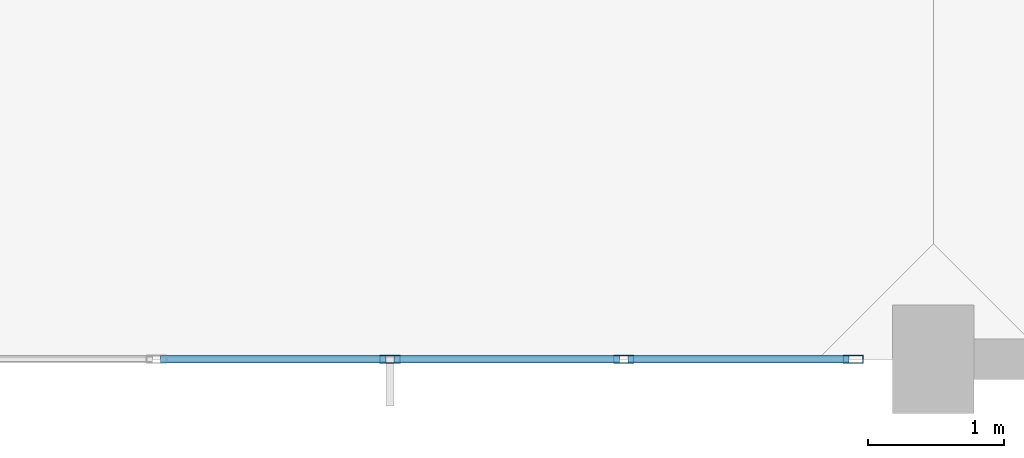
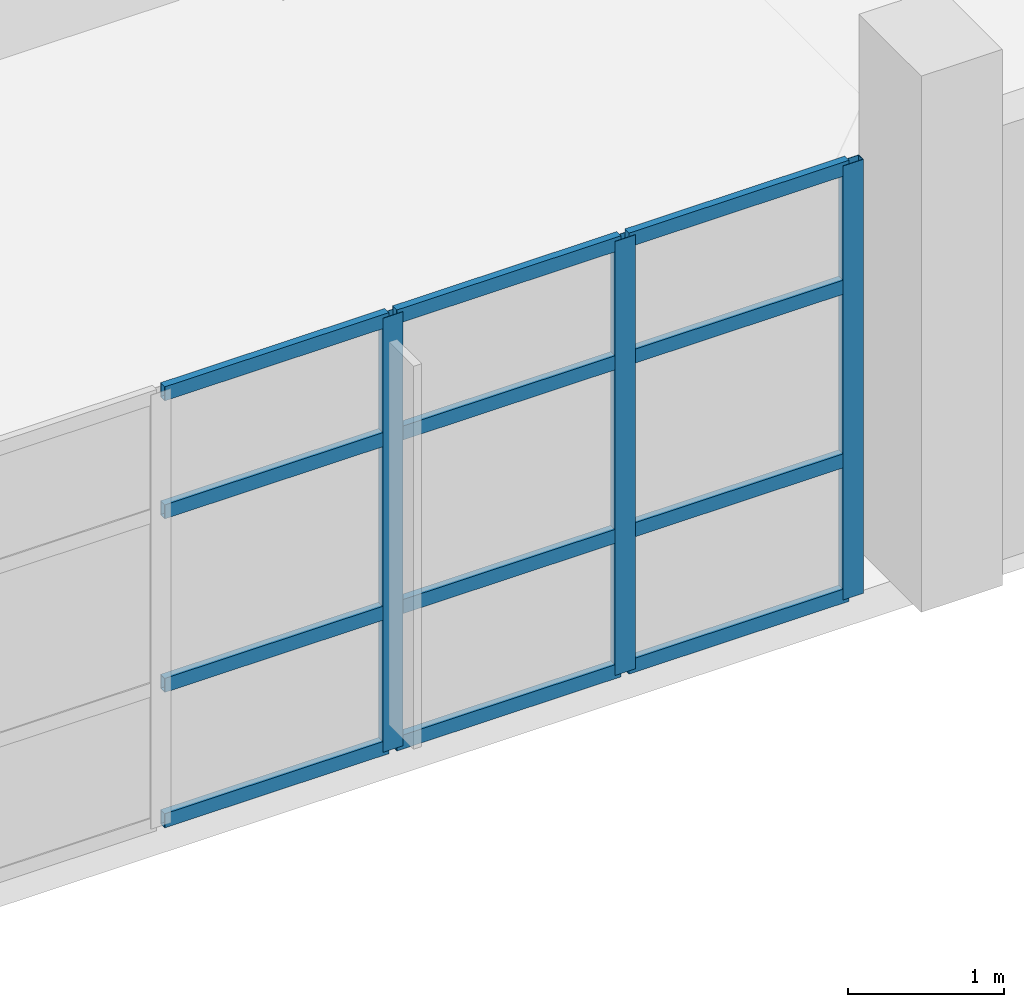
# One storey, part 3 of 27: 15 members, 1 element without a shape of its own.
"""IFC4 building model written with IfcOpenShell, lengths in metres."""

import ifcopenshell
import ifcopenshell.guid

model = None  # the IFC model being written
_history = None  # IfcOwnerHistory: only IFC2X3 demands one
_inside = {}  # id of a spatial element -> (the spatial element, [elements in it])
_under = {}  # id of a project, library or spatial element -> (it, [spatial elements below it])
_declared = {}  # id of a project -> (the project, [libraries it declares])
_typed = {}  # id of a type object -> (the type object, [elements of that type])
_made_of = {}  # id of a material, layer set ... -> (it, [elements and type objects made of it])


def new_model(schema):
    """Start an empty IFC model of exactly this schema.

    Asked for "IFC4X3", IfcOpenShell would pick the latest addendum, in which some entities
    have other attributes; the version numbers below select the first issue.
    IFC2X3 requires an IfcOwnerHistory on every rooted entity: one is made here for all.
    """
    global model, _history
    if schema == "IFC4X3":
        model = ifcopenshell.file(schema_version=(4, 3, 0, 0))
    else:
        model = ifcopenshell.file(schema=schema)
    _inside.clear()
    _under.clear()
    _declared.clear()
    _typed.clear()
    _made_of.clear()
    _history = None
    if model.schema == "IFC2X3":
        org = make("IfcOrganization", Name="unknown")
        user = make(
            "IfcPersonAndOrganization",
            ThePerson=make("IfcPerson", FamilyName="unknown"),
            TheOrganization=org,
        )
        app = make(
            "IfcApplication",
            ApplicationDeveloper=org,
            Version="unknown",
            ApplicationFullName="unknown",
            ApplicationIdentifier="unknown",
        )
        _history = make(
            "IfcOwnerHistory",
            OwningUser=user,
            OwningApplication=app,
            ChangeAction="ADDED",
            CreationDate=0,
        )
    return model


def make(cls, **values):
    """One entity of the class cls with the attributes given. An attribute that is None is left unset."""
    return model.create_entity(
        cls, **{name: value for name, value in values.items() if value is not None}
    )


def rooted(cls, **values):
    """An entity with a GlobalId (a new one), such as an element, a storey or a relation."""
    return make(cls, GlobalId=ifcopenshell.guid.new(), OwnerHistory=_history, **values)


def si_unit(unit_type, name, prefix=None):
    """IfcSIUnit, for example si_unit("LENGTHUNIT", "METRE", prefix="MILLI")."""
    return make("IfcSIUnit", UnitType=unit_type, Prefix=prefix, Name=name)


def assignment(units):
    """IfcUnitAssignment: the units of a project."""
    return None if units is None else make("IfcUnitAssignment", Units=units)


def point(xyz):
    """IfcCartesianPoint."""
    return None if xyz is None else make("IfcCartesianPoint", Coordinates=xyz)


def direction(xyz):
    """IfcDirection."""
    return None if xyz is None else make("IfcDirection", DirectionRatios=xyz)


def frame(location, z_axis=None, x_axis=None):
    """IfcAxis2Placement3D, a coordinate frame: its origin and axes. An axis left out is left unset."""
    return make(
        "IfcAxis2Placement3D",
        Location=point(location),
        Axis=direction(z_axis),
        RefDirection=direction(x_axis),
    )


def frame_2d(location, x_axis=None):
    """IfcAxis2Placement2D, a coordinate frame in the plane: its origin and x axis."""
    return make(
        "IfcAxis2Placement2D", Location=point(location), RefDirection=direction(x_axis)
    )


def origin():
    """The frame at (0, 0, 0) with its axes left unset."""
    return frame((0.0, 0.0, 0.0))


def origin_2d():
    """The frame at (0, 0) in the plane with its x axis left unset."""
    return frame_2d((0.0, 0.0))


def place(relative_to, where):
    """IfcLocalPlacement: puts the frame where relative to a parent placement (None: the world)."""
    return make(
        "IfcLocalPlacement", PlacementRelTo=relative_to, RelativePlacement=where
    )


def context(
    kind, dimensions, precision=None, world=None, true_north=None, identifier=None
):
    """IfcGeometricRepresentationContext, for example the 3D "Model" context."""
    return make(
        "IfcGeometricRepresentationContext",
        ContextIdentifier=identifier,
        ContextType=kind,
        CoordinateSpaceDimension=dimensions,
        Precision=precision,
        WorldCoordinateSystem=world,
        TrueNorth=true_north,
    )


def subcontext(parent, identifier, kind, view, scale=None):
    """IfcGeometricRepresentationSubContext, for example "Body" below "Model"."""
    return make(
        "IfcGeometricRepresentationSubContext",
        ContextIdentifier=identifier,
        ContextType=kind,
        ParentContext=parent,
        TargetScale=scale,
        TargetView=view,
    )


def project(units=None, contexts=None):
    """IfcProject with its units and contexts."""
    return rooted(
        "IfcProject",
        Name="project",
        RepresentationContexts=contexts,
        UnitsInContext=assignment(units),
    )


def spatial(cls, under=None, at=None, **own):
    """A site, building, storey or space (cls), placed at a placement, below another one or the project."""
    s = rooted(cls, ObjectPlacement=at, **own)
    if under is not None:
        _under.setdefault(under.id(), (under, []))[1].append(s)
    return s


def profile(cls, at=None, kind="AREA", **sizes):
    """A parametric profile (cls). Its sizes go by their IFC names, for example OverallWidth=200.0."""
    return make(cls, ProfileType=kind, Position=at, **sizes)


def hollow_rectangle(**sizes):
    """IfcRectangleHollowProfileDef."""
    return profile("IfcRectangleHollowProfileDef", **sizes)


def extrude(swept, where, along, depth):
    """IfcExtrudedAreaSolid: the profile swept, set in the frame where, extruded along a direction by depth."""
    return make(
        "IfcExtrudedAreaSolid",
        SweptArea=swept,
        Position=where,
        ExtrudedDirection=direction(along),
        Depth=depth,
    )


def shape(context_of_items, identifier, shape_type, items):
    """IfcShapeRepresentation: the items that make up one representation, for example the "Body"."""
    return make(
        "IfcShapeRepresentation",
        ContextOfItems=context_of_items,
        RepresentationIdentifier=identifier,
        RepresentationType=shape_type,
        Items=items,
    )


def material(Name=None, Category=None):
    """IfcMaterial."""
    return make("IfcMaterial", Name=Name, Category=Category)


def layer(
    of_material, thickness, ventilated=None, Name=None, Category=None, Priority=None
):
    """IfcMaterialLayer: one layer of a wall or slab, of a material (None: an air gap)."""
    return make(
        "IfcMaterialLayer",
        Material=of_material,
        LayerThickness=thickness,
        IsVentilated=ventilated,
        Name=Name,
        Category=Category,
        Priority=Priority,
    )


def layer_set(layers, Name=None):
    """IfcMaterialLayerSet."""
    return make("IfcMaterialLayerSet", MaterialLayers=layers, LayerSetName=Name)


def material_profile(
    of_material, cross_section, Name=None, Category=None, Priority=None
):
    """IfcMaterialProfile: a cross section and its material."""
    return make(
        "IfcMaterialProfile",
        Name=Name,
        Material=of_material,
        Profile=cross_section,
        Priority=Priority,
        Category=Category,
    )


def profile_set(profiles, Name=None, composite=None):
    """IfcMaterialProfileSet."""
    return make(
        "IfcMaterialProfileSet",
        Name=Name,
        MaterialProfiles=profiles,
        CompositeProfile=composite,
    )


def made_of(thing, what):
    """Note that an element or type object is made of a material, layer set ...; save() writes the relation."""
    if what is not None:
        _made_of.setdefault(what.id(), (what, []))[1].append(thing)
    return thing


def type_object(cls, material=None, **own):
    """A type object (cls), such as IfcWallType, which elements share."""
    return made_of(rooted(cls, **own), material)


def element(
    cls,
    number,
    at=None,
    inside=None,
    cuts=None,
    type_object=None,
    material=None,
    context=None,
    identifier="Body",
    shape_type=None,
    held_by="IfcProductDefinitionShape",
    body=None,
    shapes=None,
    **own,
):
    """One element of the class cls, such as IfcWall. Its Tag is "e" and its number.

    at: its placement. inside: the storey or other place that contains it. cuts: it is an
    opening in that element (IfcRelVoidsElement). A single representation is given by context,
    identifier, shape_type and body (its items); several are given by shapes. held_by: the class
    of the entity that holds the representations. save() writes the other relations.
    """
    e = rooted(cls, Tag="e%d" % number, ObjectPlacement=at, **own)
    if body is not None:
        shapes = [shape(context, identifier, shape_type, body)]
    if shapes is not None:
        e.Representation = make(held_by, Representations=shapes)
    if inside is not None:
        _inside.setdefault(inside.id(), (inside, []))[1].append(e)
    if cuts is not None:
        rooted(
            "IfcRelVoidsElement", RelatingBuildingElement=cuts, RelatedOpeningElement=e
        )
    if type_object is not None:
        _typed.setdefault(type_object.id(), (type_object, []))[1].append(e)
    return made_of(e, material)


def aggregate(whole, parts):
    """IfcRelAggregates: a whole, such as a stair, and the parts it consists of."""
    return rooted("IfcRelAggregates", RelatingObject=whole, RelatedObjects=parts)


def save(model, path):
    """Write the relations noted so far, then the file.

    IfcRelAggregates (storeys below a building ...), IfcRelContainedInSpatialStructure (elements
    in a storey), IfcRelDefinesByType, IfcRelAssociatesMaterial and IfcRelDeclares: one each for
    every whole, place, type object, material and project.
    """
    for whole, parts in _under.values():
        aggregate(whole, parts)
    for where, things in _inside.values():
        rooted(
            "IfcRelContainedInSpatialStructure",
            RelatedElements=things,
            RelatingStructure=where,
        )
    for kind, things in _typed.values():
        rooted("IfcRelDefinesByType", RelatedObjects=things, RelatingType=kind)
    for what, things in _made_of.values():
        rooted("IfcRelAssociatesMaterial", RelatedObjects=things, RelatingMaterial=what)
    for by, libraries in _declared.values():
        rooted("IfcRelDeclares", RelatingContext=by, RelatedDefinitions=libraries)
    model.write(path)


model = new_model("IFC4")

# Units and contexts
model_context = context("Model", 3, precision=1e-05, world=origin(), true_north=direction((0.0, 1.0)))
body_context = subcontext(model_context, "Body", "Model", "MODEL_VIEW")
ifc_project = project(units=[si_unit("LENGTHUNIT", "METRE"), si_unit("AREAUNIT", "SQUARE_METRE"), si_unit("VOLUMEUNIT", "CUBIC_METRE"), si_unit("PLANEANGLEUNIT", "RADIAN"), si_unit("MASSUNIT", "GRAM", prefix="KILO")], contexts=[model_context])

# Site, building, storey
site_placement = place(None, origin())
site = spatial("IfcSite", under=ifc_project, at=site_placement, CompositionType="ELEMENT")
building_placement = place(site_placement, origin())
building = spatial("IfcBuilding", under=site, at=building_placement, Name="Canggui Botanical Conservatory", CompositionType="ELEMENT")
storey_placement = place(building_placement, frame((0.0, 0.0, 23.39990234375)))
storey = spatial("IfcBuildingStorey", under=building, at=storey_placement, Name="L06", CompositionType="ELEMENT", Elevation=23.39990234375)

# Curtain wall, members
ifc_material = material(Name="Thermally Broken Aluminium", Category="aluminium")
ifc_layer = layer(ifc_material, 0.14990234375, Name="Thermally Broken Aluminium", Category="aluminium")
ifc_layer_set = layer_set([ifc_layer], Name="Thermally Broken Aluminium")
curtain_wall_type = type_object("IfcCurtainWallType", Name="CW-UNIT-C", PredefinedType="USERDEFINED", material=ifc_layer_set)
curtain_wall_placement = place(storey_placement, origin())
curtain_wall = element("IfcCurtainWall", 1, at=curtain_wall_placement, inside=storey, type_object=curtain_wall_type, Name="Facade Curtain Wall CW-TWR-L06-04", ObjectType="UNITISED CURTAIN WALL", PredefinedType="USERDEFINED")
ifc_material_profile_1 = material_profile(ifc_material, hollow_rectangle(XDim=0.06005859375, YDim=0.14990234375, WallThickness=0.00341796875, at=origin_2d()), Name="CWM 60x150x3.5")
ifc_profile_set_1 = profile_set([ifc_material_profile_1], Name="Thermally Broken Aluminium")
member_type_1 = type_object("IfcMemberType", Name="CWM-03", PredefinedType="MULLION", material=ifc_profile_set_1)
member_1_placement = place(storey_placement, frame((153.409912109375, 26.0, 0.0), z_axis=(0.0, 0.0, 1.0), x_axis=(0.0, -1.0, 0.0)))
member_1 = element("IfcMember", 2, at=member_1_placement, type_object=member_type_1, Name="CW-03 mullion 1", PredefinedType="MULLION", context=body_context, shape_type="SweptSolid", body=[
    extrude(hollow_rectangle(XDim=0.06005859375, YDim=0.14990234375, WallThickness=0.00341796875, at=origin_2d()), origin(), (0.0, 0.0, 1.0), 3.400146484375),
])
member_2_placement = place(storey_placement, frame((151.719970703125, 26.0, 0.0), z_axis=(0.0, 0.0, 1.0), x_axis=(0.0, -1.0, 0.0)))
member_2 = element("IfcMember", 3, at=member_2_placement, type_object=member_type_1, Name="CW-03 mullion 2", PredefinedType="MULLION", context=body_context, shape_type="SweptSolid", body=[
    extrude(hollow_rectangle(XDim=0.06005859375, YDim=0.14990234375, WallThickness=0.00341796875, at=origin_2d()), origin(), (0.0, 0.0, 1.0), 3.400146484375),
])
member_3_placement = place(storey_placement, frame((150.0, 26.0, 0.0), z_axis=(0.0, 0.0, 1.0), x_axis=(0.0, -1.0, 0.0)))
member_3 = element("IfcMember", 4, at=member_3_placement, type_object=member_type_1, Name="CW-03 mullion 3", PredefinedType="MULLION", context=body_context, shape_type="SweptSolid", body=[
    extrude(hollow_rectangle(XDim=0.06005859375, YDim=0.14990234375, WallThickness=0.00341796875, at=origin_2d()), origin(), (0.0, 0.0, 1.0), 3.400146484375),
])
ifc_material_profile_2 = material_profile(ifc_material, hollow_rectangle(XDim=0.054931640625, YDim=0.110107421875, WallThickness=0.0029296875, at=origin_2d()), Name="CWT 55x110x3")
ifc_profile_set_2 = profile_set([ifc_material_profile_2], Name="Thermally Broken Aluminium")
member_type_2 = type_object("IfcMemberType", Name="CWT-03", PredefinedType="USERDEFINED", material=ifc_profile_set_2)
member_4_placement = place(storey_placement, frame((153.3798828125, 26.0, 0.027587890625), z_axis=(-1.0, 0.0, 0.0), x_axis=(0.0, -1.0, 0.0)))
member_4 = element("IfcMember", 5, at=member_4_placement, type_object=member_type_2, Name="CW-03 transom 1.1", ObjectType="TRANSOM", PredefinedType="USERDEFINED", context=body_context, shape_type="SweptSolid", body=[
    extrude(hollow_rectangle(XDim=0.054931640625, YDim=0.110107421875, WallThickness=0.0029296875, at=origin_2d()), origin(), (0.0, 0.0, 1.0), 1.6298828125),
])
member_5_placement = place(storey_placement, frame((153.3798828125, 26.0, 1.088134765625), z_axis=(-1.0, 0.0, 0.0), x_axis=(0.0, -1.0, 0.0)))
member_5 = element("IfcMember", 6, at=member_5_placement, type_object=member_type_2, Name="CW-03 transom 1.2", ObjectType="TRANSOM", PredefinedType="USERDEFINED", context=body_context, shape_type="SweptSolid", body=[
    extrude(hollow_rectangle(XDim=0.054931640625, YDim=0.110107421875, WallThickness=0.0029296875, at=origin_2d()), origin(), (0.0, 0.0, 1.0), 1.6298828125),
])
member_6_placement = place(storey_placement, frame((153.3798828125, 26.0, 2.447998046875), z_axis=(-1.0, 0.0, 0.0), x_axis=(0.0, -1.0, 0.0)))
member_6 = element("IfcMember", 7, at=member_6_placement, type_object=member_type_2, Name="CW-03 transom 1.3", ObjectType="TRANSOM", PredefinedType="USERDEFINED", context=body_context, shape_type="SweptSolid", body=[
    extrude(hollow_rectangle(XDim=0.054931640625, YDim=0.110107421875, WallThickness=0.0029296875, at=origin_2d()), origin(), (0.0, 0.0, 1.0), 1.6298828125),
])
member_7_placement = place(storey_placement, frame((153.3798828125, 26.0, 3.37255859375), z_axis=(-1.0, 0.0, 0.0), x_axis=(0.0, -1.0, 0.0)))
member_7 = element("IfcMember", 8, at=member_7_placement, type_object=member_type_2, Name="CW-03 transom 1.4", ObjectType="TRANSOM", PredefinedType="USERDEFINED", context=body_context, shape_type="SweptSolid", body=[
    extrude(hollow_rectangle(XDim=0.054931640625, YDim=0.110107421875, WallThickness=0.0029296875, at=origin_2d()), origin(), (0.0, 0.0, 1.0), 1.6298828125),
])
member_8_placement = place(storey_placement, frame((151.68994140625, 26.0, 0.027587890625), z_axis=(-1.0, 0.0, 0.0), x_axis=(0.0, -1.0, 0.0)))
member_8 = element("IfcMember", 9, at=member_8_placement, type_object=member_type_2, Name="CW-03 transom 2.1", ObjectType="TRANSOM", PredefinedType="USERDEFINED", context=body_context, shape_type="SweptSolid", body=[
    extrude(hollow_rectangle(XDim=0.054931640625, YDim=0.110107421875, WallThickness=0.0029296875, at=origin_2d()), origin(), (0.0, 0.0, 1.0), 1.659912109375),
])
member_9_placement = place(storey_placement, frame((151.68994140625, 26.0, 1.088134765625), z_axis=(-1.0, 0.0, 0.0), x_axis=(0.0, -1.0, 0.0)))
member_9 = element("IfcMember", 10, at=member_9_placement, type_object=member_type_2, Name="CW-03 transom 2.2", ObjectType="TRANSOM", PredefinedType="USERDEFINED", context=body_context, shape_type="SweptSolid", body=[
    extrude(hollow_rectangle(XDim=0.054931640625, YDim=0.110107421875, WallThickness=0.0029296875, at=origin_2d()), origin(), (0.0, 0.0, 1.0), 1.659912109375),
])
member_10_placement = place(storey_placement, frame((151.68994140625, 26.0, 2.447998046875), z_axis=(-1.0, 0.0, 0.0), x_axis=(0.0, -1.0, 0.0)))
member_10 = element("IfcMember", 11, at=member_10_placement, type_object=member_type_2, Name="CW-03 transom 2.3", ObjectType="TRANSOM", PredefinedType="USERDEFINED", context=body_context, shape_type="SweptSolid", body=[
    extrude(hollow_rectangle(XDim=0.054931640625, YDim=0.110107421875, WallThickness=0.0029296875, at=origin_2d()), origin(), (0.0, 0.0, 1.0), 1.659912109375),
])
member_11_placement = place(storey_placement, frame((151.68994140625, 26.0, 3.37255859375), z_axis=(-1.0, 0.0, 0.0), x_axis=(0.0, -1.0, 0.0)))
member_11 = element("IfcMember", 12, at=member_11_placement, type_object=member_type_2, Name="CW-03 transom 2.4", ObjectType="TRANSOM", PredefinedType="USERDEFINED", context=body_context, shape_type="SweptSolid", body=[
    extrude(hollow_rectangle(XDim=0.054931640625, YDim=0.110107421875, WallThickness=0.0029296875, at=origin_2d()), origin(), (0.0, 0.0, 1.0), 1.659912109375),
])
member_12_placement = place(storey_placement, frame((149.969970703125, 26.0, 0.027587890625), z_axis=(-1.0, 0.0, 0.0), x_axis=(0.0, -1.0, 0.0)))
member_12 = element("IfcMember", 13, at=member_12_placement, type_object=member_type_2, Name="CW-03 transom 3.1", ObjectType="TRANSOM", PredefinedType="USERDEFINED", context=body_context, shape_type="SweptSolid", body=[
    extrude(hollow_rectangle(XDim=0.054931640625, YDim=0.110107421875, WallThickness=0.0029296875, at=origin_2d()), origin(), (0.0, 0.0, 1.0), 1.659912109375),
])
member_13_placement = place(storey_placement, frame((149.969970703125, 26.0, 1.088134765625), z_axis=(-1.0, 0.0, 0.0), x_axis=(0.0, -1.0, 0.0)))
member_13 = element("IfcMember", 14, at=member_13_placement, type_object=member_type_2, Name="CW-03 transom 3.2", ObjectType="TRANSOM", PredefinedType="USERDEFINED", context=body_context, shape_type="SweptSolid", body=[
    extrude(hollow_rectangle(XDim=0.054931640625, YDim=0.110107421875, WallThickness=0.0029296875, at=origin_2d()), origin(), (0.0, 0.0, 1.0), 1.659912109375),
])
member_14_placement = place(storey_placement, frame((149.969970703125, 26.0, 2.447998046875), z_axis=(-1.0, 0.0, 0.0), x_axis=(0.0, -1.0, 0.0)))
member_14 = element("IfcMember", 15, at=member_14_placement, type_object=member_type_2, Name="CW-03 transom 3.3", ObjectType="TRANSOM", PredefinedType="USERDEFINED", context=body_context, shape_type="SweptSolid", body=[
    extrude(hollow_rectangle(XDim=0.054931640625, YDim=0.110107421875, WallThickness=0.0029296875, at=origin_2d()), origin(), (0.0, 0.0, 1.0), 1.659912109375),
])
member_15_placement = place(storey_placement, frame((149.969970703125, 26.0, 3.37255859375), z_axis=(-1.0, 0.0, 0.0), x_axis=(0.0, -1.0, 0.0)))
member_15 = element("IfcMember", 16, at=member_15_placement, type_object=member_type_2, Name="CW-03 transom 3.4", ObjectType="TRANSOM", PredefinedType="USERDEFINED", context=body_context, shape_type="SweptSolid", body=[
    extrude(hollow_rectangle(XDim=0.054931640625, YDim=0.110107421875, WallThickness=0.0029296875, at=origin_2d()), origin(), (0.0, 0.0, 1.0), 1.659912109375),
])
aggregate(curtain_wall, [member_1, member_2, member_3, member_4, member_5, member_6, member_7, member_8, member_9, member_10, member_11, member_12, member_13, member_14, member_15])

save(model, "model.ifc")
